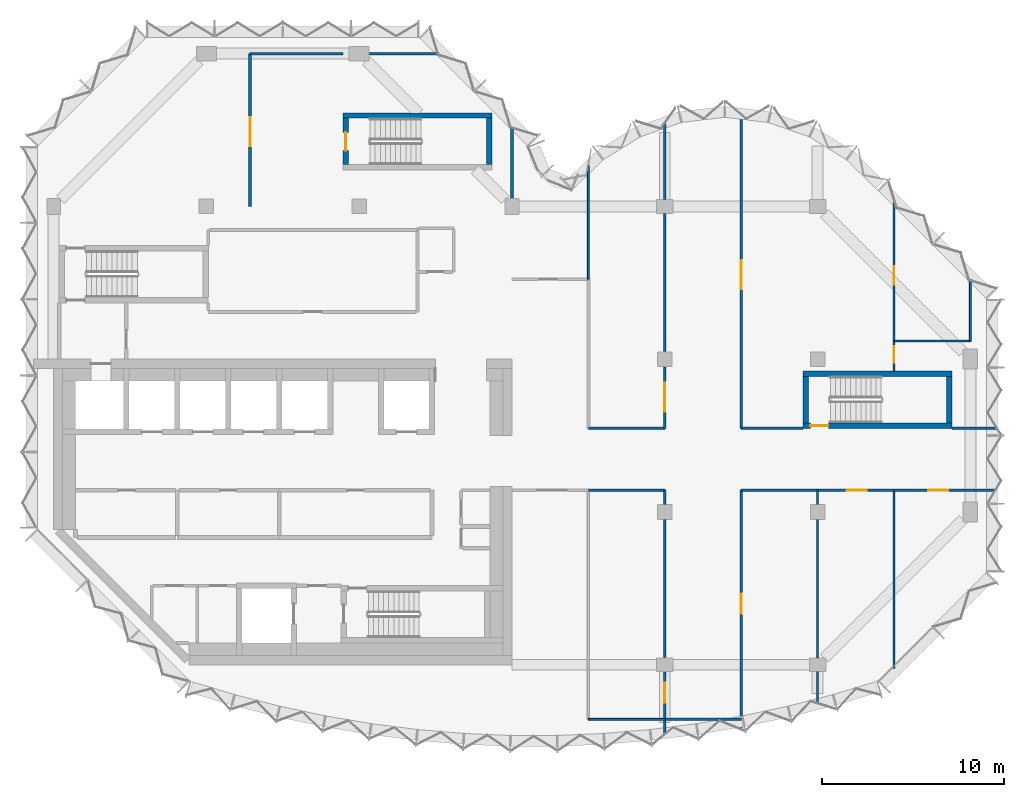
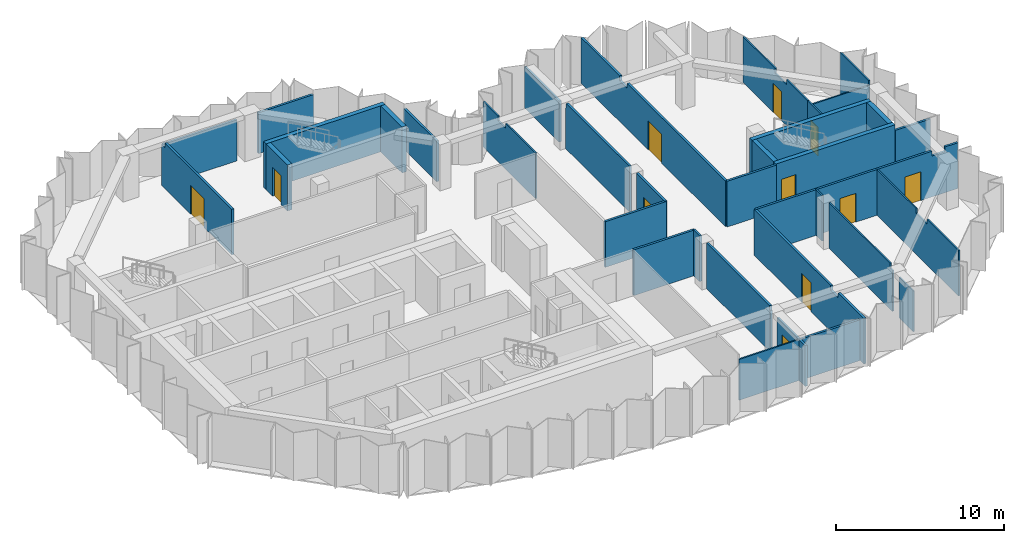
# One storey, part 6 of 9: 37 walls, 11 doors, 11 openings.
"""IFC4 building model written with IfcOpenShell, lengths in metres."""

from ifc_helpers import new_model, si_unit, direction, frame, frame_2d, origin, place, context, subcontext, project, spatial, polyline, rectangle, outline, extrude, material, layer, layer_set, type_object, element, fill, save


model = new_model("IFC4")

# Units and contexts
model_context = context("Model", 3, precision=1e-05, world=origin(), true_north=direction((0.0, 1.0)))
body_context = subcontext(model_context, "Body", "Model", "MODEL_VIEW")
ifc_project = project(units=[si_unit("LENGTHUNIT", "METRE"), si_unit("AREAUNIT", "SQUARE_METRE"), si_unit("VOLUMEUNIT", "CUBIC_METRE"), si_unit("PLANEANGLEUNIT", "RADIAN"), si_unit("MASSUNIT", "GRAM", prefix="KILO")], contexts=[model_context])

# Site, building, storey
site_placement = place(None, origin())
site = spatial("IfcSite", under=ifc_project, at=site_placement, CompositionType="ELEMENT")
building_placement = place(site_placement, origin())
building = spatial("IfcBuilding", under=site, at=building_placement, Name="Brevane Broadcast Tower", CompositionType="ELEMENT")
storey_placement = place(building_placement, frame((0.0, 0.0, 215.699951171875)))
storey = spatial("IfcBuildingStorey", under=building, at=storey_placement, Name="L54", CompositionType="ELEMENT", Elevation=215.699951171875)

# Wall
ifc_material_1 = material(Name="Concrete C50/60", Category="concrete")
ifc_layer_1 = layer(ifc_material_1, 0.300048828125)
ifc_layer_set_1 = layer_set([ifc_layer_1], Name="Core wall 300 mm C50/60")
wall_type_1 = type_object("IfcWallType", Name="Core wall 300 mm C50/60", PredefinedType="SHEAR", material=ifc_layer_set_1)
wall_1_placement = place(storey_placement, frame((15.89990234375, 30.199951171875, 0.0), z_axis=(0.0, 0.0, 1.0), x_axis=(1.0, 0.0, 0.0)))
element("IfcWall", 1, at=wall_1_placement, inside=storey, type_object=wall_type_1, Name="L54 stair wall ST-3-N", PredefinedType="SHEAR", context=body_context, shape_type="SweptSolid", body=[
    extrude(rectangle(XDim=8.2001953125, YDim=0.300048828125, at=frame_2d((4.10009765625, 0.0))), origin(), (0.0, 0.0, 1.0), 3.35009765625),
])

# Wall, opening, door
wall_2_placement = place(storey_placement, frame((16.050048828125, 27.5, 0.0), z_axis=(0.0, 0.0, 1.0), x_axis=(0.0, 1.0, 0.0)))
wall_2 = element("IfcWall", 2, at=wall_2_placement, inside=storey, type_object=wall_type_1, Name="L54 stair wall ST-3-W", PredefinedType="SHEAR", context=body_context, shape_type="SweptSolid", body=[
    extrude(rectangle(XDim=2.550048828125, YDim=0.300048828125, at=frame_2d((1.27490234375, 0.0))), origin(), (0.0, 0.0, 1.0), 3.35009765625),
])
opening_1_placement = place(wall_2_placement, frame((0.77490234375, 0.0, 0.0)))
opening_1 = element("IfcOpeningElement", 3, at=opening_1_placement, cuts=wall_2, Name="Opening L54-K12", PredefinedType="OPENING", context=body_context, shape_type="SweptSolid", body=[
    extrude(rectangle(XDim=1.0, YDim=2.10009765625, at=frame_2d((0.5, 1.050048828125))), frame((0.0, 0.159912109375, 0.0), z_axis=(0.0, -1.0, 0.0), x_axis=(1.0, 0.0, 0.0)), (0.0, 0.0, 1.0), 0.320068359375),
])
ifc_material_2 = material(Name="Steel", Category="steel")
door_type_1 = type_object("IfcDoorType", Name="Stair door 1000 x 2100", OperationType="SINGLE_SWING_LEFT", PredefinedType="DOOR", material=ifc_material_2)
door_1_placement = place(opening_1_placement, origin())
door_1 = element("IfcDoor", 4, at=door_1_placement, inside=storey, type_object=door_type_1, Name="Door L54-K12", OperationType="SINGLE_SWING_LEFT", OverallHeight=2.10009765625, OverallWidth=1.0, PredefinedType="DOOR", context=body_context, shape_type="SweptSolid", body=[
    extrude(rectangle(XDim=1.0, YDim=2.10009765625, at=frame_2d((0.5, 1.050048828125))), frame((0.0, 0.02490234375, 0.0), z_axis=(0.0, -1.0, 0.0), x_axis=(1.0, 0.0, 0.0)), (0.0, 0.0, 1.0), 0.050048828125),
])
fill(opening_1, door_1)

# Wall
wall_3_placement = place(storey_placement, frame((23.949951171875, 27.5, 0.0), z_axis=(0.0, 0.0, 1.0), x_axis=(0.0, 1.0, 0.0)))
element("IfcWall", 5, at=wall_3_placement, inside=storey, type_object=wall_type_1, Name="L54 stair wall ST-3-E", PredefinedType="SHEAR", context=body_context, shape_type="SweptSolid", body=[
    extrude(rectangle(XDim=2.550048828125, YDim=0.300048828125, at=frame_2d((1.27490234375, 0.0))), origin(), (0.0, 0.0, 1.0), 3.35009765625),
])

# Wall, opening, door
wall_4_placement = place(storey_placement, frame((49.39990234375, 13.14990234375, 0.0), z_axis=(0.0, 0.0, 1.0), x_axis=(-1.0, 0.0, 0.0)))
wall_4 = element("IfcWall", 6, at=wall_4_placement, inside=storey, type_object=wall_type_1, Name="L54 stair wall ST-4-S", PredefinedType="SHEAR", context=body_context, shape_type="SweptSolid", body=[
    extrude(rectangle(XDim=8.199951171875, YDim=0.300048828125, at=frame_2d((4.10009765625, 0.0))), origin(), (0.0, 0.0, 1.0), 3.35009765625),
])
opening_2_placement = place(wall_4_placement, frame((6.800048828125, 0.0, 0.0)))
opening_2 = element("IfcOpeningElement", 7, at=opening_2_placement, cuts=wall_4, Name="Opening L54-K13", PredefinedType="OPENING", context=body_context, shape_type="SweptSolid", body=[
    extrude(rectangle(XDim=1.0, YDim=2.10009765625, at=frame_2d((0.5, 1.050048828125))), frame((0.0, 0.159912109375, 0.0), z_axis=(0.0, -1.0, 0.0), x_axis=(1.0, 0.0, 0.0)), (0.0, 0.0, 1.0), 0.320068359375),
])
door_2_placement = place(opening_2_placement, origin())
door_2 = element("IfcDoor", 8, at=door_2_placement, inside=storey, type_object=door_type_1, Name="Door L54-K13", OperationType="SINGLE_SWING_RIGHT", OverallHeight=2.10009765625, OverallWidth=1.0, PredefinedType="DOOR", context=body_context, shape_type="SweptSolid", body=[
    extrude(rectangle(XDim=1.0, YDim=2.10009765625, at=frame_2d((0.5, 1.050048828125))), frame((0.0, 0.02490234375, 0.0), z_axis=(0.0, -1.0, 0.0), x_axis=(1.0, 0.0, 0.0)), (0.0, 0.0, 1.0), 0.050048828125),
])
fill(opening_2, door_2)

# Walls
wall_5_placement = place(storey_placement, frame((41.199951171875, 16.0, 0.0), z_axis=(0.0, 0.0, 1.0), x_axis=(1.0, 0.0, 0.0)))
element("IfcWall", 9, at=wall_5_placement, inside=storey, type_object=wall_type_1, Name="L54 stair wall ST-4-N", PredefinedType="SHEAR", context=body_context, shape_type="SweptSolid", body=[
    extrude(rectangle(XDim=8.199951171875, YDim=0.300048828125, at=frame_2d((4.10009765625, 0.0))), origin(), (0.0, 0.0, 1.0), 3.35009765625),
])
for number, where, z_axis, x_axis, name in (
    (10, (41.35009765625, 13.300048828125, 0.0), (0.0, 0.0, 1.0), (0.0, 1.0, 0.0), "L54 stair wall ST-4-W"),
    (11, (49.25, 13.300048828125, 0.0), (0.0, 0.0, 1.0), (0.0, 1.0, 0.0), "L54 stair wall ST-4-E"),
):
    element("IfcWall", number, at=place(storey_placement, frame(where, z_axis=z_axis, x_axis=x_axis)), inside=storey, type_object=wall_type_1, Name=name, PredefinedType="SHEAR", context=body_context, shape_type="SweptSolid", body=[
        extrude(rectangle(XDim=2.550048828125, YDim=0.300048828125, at=frame_2d((1.27490234375, 0.0))), origin(), (0.0, 0.0, 1.0), 3.35009765625),
    ])
ifc_material_3 = material(Name="Gypsum board partition")
ifc_layer_2 = layer(ifc_material_3, 0.10009765625)
ifc_layer_set_2 = layer_set([ifc_layer_2], Name="PARTITION 100 STUD")
wall_type_2 = type_object("IfcWallType", Name="PARTITION 100 STUD", PredefinedType="PARTITIONING", material=ifc_layer_set_2)
wall_6_placement = place(storey_placement, frame((29.39990234375, 27.428955078125, 0.0), z_axis=(0.0, 0.0, 1.0), x_axis=(0.0, -1.0, 0.0)))
element("IfcWall", 12, at=wall_6_placement, inside=storey, type_object=wall_type_2, Name="Partition G16-004", PredefinedType="PARTITIONING", context=body_context, shape_type="SweptSolid", body=[
    extrude(outline(polyline([(0.0, 0.0), (6.22900390625, 0.0), (6.22900390625, 3.330078125), (2.678955078125, 3.330078125), (2.677001953125, 2.97998046875), (1.781005859375, 2.97998046875), (1.779052734375, 3.330078125), (0.154052734375, 3.330078125), (0.0, 3.330078125), (0.0, 0.0)])), frame((0.0, 0.050048828125, 0.0), z_axis=(0.0, -1.0, 0.0), x_axis=(1.0, 0.0, 0.0)), (0.0, 0.0, 1.0), 0.10009765625),
])
wall_7_placement = place(storey_placement, frame((29.39990234375, -3.0, 0.0), z_axis=(0.0, 0.0, 1.0), x_axis=(1.0, 0.0, 0.0)))
element("IfcWall", 13, at=wall_7_placement, inside=storey, type_object=wall_type_2, Name="Partition G16-019", PredefinedType="PARTITIONING", context=body_context, shape_type="SweptSolid", body=[
    extrude(rectangle(XDim=4.2001953125, YDim=0.10009765625, at=frame_2d((2.10009765625, 0.0))), origin(), (0.0, 0.0, 1.0), 2.97998046875),
])
wall_8_placement = place(storey_placement, frame((42.0, 9.60009765625, 0.0), z_axis=(0.0, 0.0, 1.0), x_axis=(0.0, -1.0, 0.0)))
element("IfcWall", 14, at=wall_8_placement, inside=storey, type_object=wall_type_2, Name="Partition G16-020", PredefinedType="PARTITIONING", context=body_context, shape_type="SweptSolid", body=[
    extrude(rectangle(XDim=0.780029296875, YDim=0.10009765625, at=frame_2d((0.39013671875, 0.0))), origin(), (0.0, 0.0, 1.0), 3.330078125),
])
wall_9_placement = place(storey_placement, frame((42.0, 7.97998046875, 0.0), z_axis=(0.0, 0.0, 1.0), x_axis=(0.0, -1.0, 0.0)))
element("IfcWall", 15, at=wall_9_placement, inside=storey, type_object=wall_type_2, Name="Partition G16-021", PredefinedType="PARTITIONING", context=body_context, shape_type="SweptSolid", body=[
    extrude(outline(polyline([(0.0, 0.0), (7.5849609375, 0.0), (7.5849609375, 2.97998046875), (7.31640625, 2.97998046875), (7.314208984375, 3.330078125), (0.0, 3.330078125), (0.0, 0.0)])), frame((0.0, 0.050048828125, 0.0), z_axis=(0.0, -1.0, 0.0), x_axis=(1.0, 0.0, 0.0)), (0.0, 0.0, 1.0), 0.10009765625),
])
wall_10_placement = place(storey_placement, frame((42.0, -0.39501953125, 0.0), z_axis=(0.0, 0.0, 1.0), x_axis=(0.0, -1.0, 0.0)))
element("IfcWall", 16, at=wall_10_placement, inside=storey, type_object=wall_type_2, Name="Partition G16-022", PredefinedType="PARTITIONING", context=body_context, shape_type="SweptSolid", body=[
    extrude(rectangle(XDim=1.673828125, YDim=0.10009765625, at=frame_2d((0.8369140625, 0.0))), origin(), (0.0, 0.0, 1.0), 2.97998046875),
])
wall_11_placement = place(storey_placement, frame((46.199951171875, 9.60009765625, 0.0), z_axis=(0.0, 0.0, 1.0), x_axis=(0.0, -1.0, 0.0)))
element("IfcWall", 17, at=wall_11_placement, inside=storey, type_object=wall_type_2, Name="Partition G16-023", PredefinedType="PARTITIONING", context=body_context, shape_type="SweptSolid", body=[
    extrude(outline(polyline([(0.0, 0.0), (9.800048828125, 0.0), (9.800048828125, 3.330078125), (6.065673828125, 3.330078125), (6.063720703125, 2.97998046875), (4.736328125, 2.97998046875), (4.734375, 3.330078125), (0.0, 3.330078125), (0.0, 0.0)])), frame((0.0, 0.050048828125, 0.0), z_axis=(0.0, -1.0, 0.0), x_axis=(1.0, 0.0, 0.0)), (0.0, 0.0, 1.0), 0.10009765625),
])

# Wall, opening, door
wall_12_placement = place(storey_placement, frame((46.199951171875, 17.800048828125, 0.0), z_axis=(0.0, 0.0, 1.0), x_axis=(0.0, -1.0, 0.0)))
wall_12 = element("IfcWall", 18, at=wall_12_placement, inside=storey, type_object=wall_type_2, Name="Partition G16-028", PredefinedType="PARTITIONING", context=body_context, shape_type="SweptSolid", body=[
    extrude(rectangle(XDim=1.650146484375, YDim=0.10009765625, at=frame_2d((0.8251953125, 0.0))), origin(), (0.0, 0.0, 1.0), 3.330078125),
])
opening_3_placement = place(wall_12_placement, frame((0.300048828125, 0.0, 0.0)))
opening_3 = element("IfcOpeningElement", 19, at=opening_3_placement, cuts=wall_12, Name="Opening D27-009", PredefinedType="OPENING", context=body_context, shape_type="SweptSolid", body=[
    extrude(rectangle(XDim=0.89990234375, YDim=2.10009765625, at=frame_2d((0.449951171875, 1.050048828125))), frame((0.0, 0.06005859375, 0.0), z_axis=(0.0, -1.0, 0.0), x_axis=(1.0, 0.0, 0.0)), (0.0, 0.0, 1.0), 0.1201171875),
])
ifc_material_4 = material(Name="Timber door leaf", Category="wood")
door_type_2 = type_object("IfcDoorType", Name="DOOR SINGLE 900 INTERNAL", OperationType="SINGLE_SWING_LEFT", PredefinedType="DOOR", material=ifc_material_4)
door_3_placement = place(opening_3_placement, origin())
door_3 = element("IfcDoor", 20, at=door_3_placement, inside=storey, type_object=door_type_2, Name="Door D27-009", OperationType="SINGLE_SWING_LEFT", OverallHeight=2.10009765625, OverallWidth=0.89990234375, PredefinedType="DOOR", context=body_context, shape_type="SweptSolid", body=[
    extrude(rectangle(XDim=0.89990234375, YDim=2.10009765625, at=frame_2d((0.449951171875, 1.050048828125))), frame((0.0, 0.02490234375, 0.0), z_axis=(0.0, -1.0, 0.0), x_axis=(1.0, 0.0, 0.0)), (0.0, 0.0, 1.0), 0.050048828125),
])
fill(opening_3, door_3)

wall_13_placement = place(storey_placement, frame((46.199951171875, 25.50244140625, 0.0), z_axis=(0.0, 0.0, 1.0), x_axis=(0.0, -1.0, 0.0)))
wall_13 = element("IfcWall", 21, at=wall_13_placement, inside=storey, type_object=wall_type_2, Name="Partition G16-029", PredefinedType="PARTITIONING", context=body_context, shape_type="SweptSolid", body=[
    extrude(outline(polyline([(0.0, 0.0), (7.702392578125, 0.0), (7.702392578125, 3.330078125), (5.168212890625, 3.330078125), (5.166259765625, 2.97998046875), (3.8388671875, 2.97998046875), (3.8369140625, 3.330078125), (0.1025390625, 3.330078125), (0.0, 3.330078125), (0.0, 0.0)])), frame((0.0, 0.050048828125, 0.0), z_axis=(0.0, -1.0, 0.0), x_axis=(1.0, 0.0, 0.0)), (0.0, 0.0, 1.0), 0.10009765625),
])
opening_4_placement = place(wall_13_placement, frame((3.6025390625, 0.0, 0.0)))
opening_4 = element("IfcOpeningElement", 22, at=opening_4_placement, cuts=wall_13, Name="Opening D27-010", PredefinedType="OPENING", context=body_context, shape_type="SweptSolid", body=[
    extrude(rectangle(XDim=1.0, YDim=2.10009765625, at=frame_2d((0.5, 1.050048828125))), frame((0.0, 0.06005859375, 0.0), z_axis=(0.0, -1.0, 0.0), x_axis=(1.0, 0.0, 0.0)), (0.0, 0.0, 1.0), 0.1201171875),
])
door_type_3 = type_object("IfcDoorType", Name="DOOR SINGLE 1000 INTERNAL", OperationType="SINGLE_SWING_LEFT", PredefinedType="DOOR", material=ifc_material_4)
door_4_placement = place(opening_4_placement, origin())
door_4 = element("IfcDoor", 23, at=door_4_placement, inside=storey, type_object=door_type_3, Name="Door D27-010", OperationType="SINGLE_SWING_LEFT", OverallHeight=2.10009765625, OverallWidth=1.0, PredefinedType="DOOR", context=body_context, shape_type="SweptSolid", body=[
    extrude(rectangle(XDim=1.0, YDim=2.10009765625, at=frame_2d((0.5, 1.050048828125))), frame((0.0, 0.02490234375, 0.0), z_axis=(0.0, -1.0, 0.0), x_axis=(1.0, 0.0, 0.0)), (0.0, 0.0, 1.0), 0.050048828125),
])
fill(opening_4, door_4)

# Walls
wall_14_placement = place(storey_placement, frame((46.199951171875, 17.800048828125, 0.0), z_axis=(0.0, 0.0, 1.0), x_axis=(1.0, 0.0, 0.0)))
element("IfcWall", 24, at=wall_14_placement, inside=storey, type_object=wall_type_2, Name="Partition G16-030", PredefinedType="PARTITIONING", context=body_context, shape_type="SweptSolid", body=[
    extrude(rectangle(XDim=4.199951171875, YDim=0.10009765625, at=frame_2d((2.10009765625, 0.0))), origin(), (0.0, 0.0, 1.0), 2.97998046875),
])
wall_15_placement = place(storey_placement, frame((50.39990234375, 17.800048828125, 0.0), z_axis=(0.0, 0.0, 1.0), x_axis=(0.0, 1.0, 0.0)))
element("IfcWall", 25, at=wall_15_placement, inside=storey, type_object=wall_type_2, Name="Partition G16-031", PredefinedType="PARTITIONING", context=body_context, shape_type="SweptSolid", body=[
    extrude(rectangle(XDim=3.39990234375, YDim=0.10009765625, at=frame_2d((1.699951171875, 0.0))), origin(), (0.0, 0.0, 1.0), 3.330078125),
])
ifc_layer_3 = layer(ifc_material_3, 0.14990234375)
ifc_layer_set_3 = layer_set([ifc_layer_3], Name="PARTITION 150 EI 60")
wall_type_3 = type_object("IfcWallType", Name="PARTITION 150 EI 60", PredefinedType="PARTITIONING", material=ifc_layer_set_3)
wall_16_placement = place(storey_placement, frame((25.199951171875, 25.669921875, 0.0), z_axis=(0.0, 0.0, 1.0), x_axis=(0.0, 1.0, 0.0)))
element("IfcWall", 26, at=wall_16_placement, inside=storey, type_object=wall_type_3, Name="Partition G16-005", PredefinedType="PARTITIONING", context=body_context, shape_type="SweptSolid", body=[
    extrude(rectangle(XDim=3.93017578125, YDim=0.14990234375, at=frame_2d((1.965087890625, 0.0))), origin(), (0.0, 0.0, 1.0), 2.97998046875),
])
wall_17_placement = place(storey_placement, frame((33.60009765625, 9.60009765625, 0.0), z_axis=(0.0, 0.0, 1.0), x_axis=(-1.0, 0.0, 0.0)))
element("IfcWall", 27, at=wall_17_placement, inside=storey, type_object=wall_type_3, Name="Partition G16-006", PredefinedType="PARTITIONING", context=body_context, shape_type="SweptSolid", body=[
    extrude(rectangle(XDim=4.2001953125, YDim=0.14990234375, at=frame_2d((2.10009765625, 0.0))), origin(), (0.0, 0.0, 1.0), 3.330078125),
])
wall_18_placement = place(storey_placement, frame((42.0, 9.60009765625, 0.0), z_axis=(0.0, 0.0, 1.0), x_axis=(-1.0, 0.0, 0.0)))
element("IfcWall", 28, at=wall_18_placement, inside=storey, type_object=wall_type_3, Name="Partition G16-007", PredefinedType="PARTITIONING", context=body_context, shape_type="SweptSolid", body=[
    extrude(rectangle(XDim=4.199951171875, YDim=0.14990234375, at=frame_2d((2.10009765625, 0.0))), origin(), (0.0, 0.0, 1.0), 3.330078125),
])

# Wall, opening, door
wall_19_placement = place(storey_placement, frame((46.199951171875, 9.60009765625, 0.0), z_axis=(0.0, 0.0, 1.0), x_axis=(-1.0, 0.0, 0.0)))
wall_19 = element("IfcWall", 29, at=wall_19_placement, inside=storey, type_object=wall_type_3, Name="Partition G16-008", PredefinedType="PARTITIONING", context=body_context, shape_type="SweptSolid", body=[
    extrude(rectangle(XDim=4.199951171875, YDim=0.14990234375, at=frame_2d((2.10009765625, 0.0))), origin(), (0.0, 0.0, 1.0), 3.330078125),
])
opening_5_placement = place(wall_19_placement, frame((1.5, 0.0, 0.0)))
opening_5 = element("IfcOpeningElement", 30, at=opening_5_placement, cuts=wall_19, Name="Opening D27-005", PredefinedType="OPENING", context=body_context, shape_type="SweptSolid", body=[
    extrude(rectangle(XDim=1.10009765625, YDim=2.10009765625, at=frame_2d((0.550048828125, 1.050048828125))), frame((0.0, 0.0849609375, 0.0), z_axis=(0.0, -1.0, 0.0), x_axis=(1.0, 0.0, 0.0)), (0.0, 0.0, 1.0), 0.169921875),
])
ifc_material_5 = material(Name="Fire-rated timber door leaf", Category="wood")
door_type_4 = type_object("IfcDoorType", Name="DOOR SINGLE 1100 FD30S", OperationType="SINGLE_SWING_LEFT", PredefinedType="DOOR", material=ifc_material_5)
door_5_placement = place(opening_5_placement, origin())
door_5 = element("IfcDoor", 31, at=door_5_placement, inside=storey, type_object=door_type_4, Name="Door D27-005", OperationType="SINGLE_SWING_LEFT", OverallHeight=2.10009765625, OverallWidth=1.10009765625, PredefinedType="DOOR", context=body_context, shape_type="SweptSolid", body=[
    extrude(rectangle(XDim=1.10009765625, YDim=2.10009765625, at=frame_2d((0.550048828125, 1.050048828125))), frame((0.0, 0.02490234375, 0.0), z_axis=(0.0, -1.0, 0.0), x_axis=(1.0, 0.0, 0.0)), (0.0, 0.0, 1.0), 0.050048828125),
])
fill(opening_5, door_5)

wall_20_placement = place(storey_placement, frame((51.73046875, 9.60009765625, 0.0), z_axis=(0.0, 0.0, 1.0), x_axis=(-1.0, 0.0, 0.0)))
wall_20 = element("IfcWall", 32, at=wall_20_placement, inside=storey, type_object=wall_type_3, Name="Partition G16-009", PredefinedType="PARTITIONING", context=body_context, shape_type="SweptSolid", body=[
    extrude(outline(polyline([(0.0, 0.0), (5.530517578125, 0.0), (5.530517578125, 3.330078125), (1.780517578125, 3.330078125), (1.778564453125, 2.97998046875), (0.882568359375, 2.97998046875), (0.880615234375, 3.330078125), (0.25048828125, 3.330078125), (0.0, 3.330078125), (0.0, 0.0)])), frame((0.0, 0.074951171875, 0.0), z_axis=(0.0, -1.0, 0.0), x_axis=(1.0, 0.0, 0.0)), (0.0, 0.0, 1.0), 0.14990234375),
])
opening_6_placement = place(wall_20_placement, frame((2.550537109375, 0.0, 0.0)))
opening_6 = element("IfcOpeningElement", 33, at=opening_6_placement, cuts=wall_20, Name="Opening D27-006", PredefinedType="OPENING", context=body_context, shape_type="SweptSolid", body=[
    extrude(rectangle(XDim=1.10009765625, YDim=2.10009765625, at=frame_2d((0.550048828125, 1.050048828125))), frame((0.0, 0.0849609375, 0.0), z_axis=(0.0, -1.0, 0.0), x_axis=(1.0, 0.0, 0.0)), (0.0, 0.0, 1.0), 0.169921875),
])
door_6_placement = place(opening_6_placement, origin())
door_6 = element("IfcDoor", 34, at=door_6_placement, inside=storey, type_object=door_type_4, Name="Door D27-006", OperationType="SINGLE_SWING_LEFT", OverallHeight=2.10009765625, OverallWidth=1.10009765625, PredefinedType="DOOR", context=body_context, shape_type="SweptSolid", body=[
    extrude(rectangle(XDim=1.10009765625, YDim=2.10009765625, at=frame_2d((0.550048828125, 1.050048828125))), frame((0.0, 0.02490234375, 0.0), z_axis=(0.0, -1.0, 0.0), x_axis=(1.0, 0.0, 0.0)), (0.0, 0.0, 1.0), 0.050048828125),
])
fill(opening_6, door_6)

# Walls
wall_21_placement = place(storey_placement, frame((29.39990234375, 13.0, 0.0), z_axis=(0.0, 0.0, 1.0), x_axis=(1.0, 0.0, 0.0)))
element("IfcWall", 35, at=wall_21_placement, inside=storey, type_object=wall_type_3, Name="Partition G16-010", PredefinedType="PARTITIONING", context=body_context, shape_type="SweptSolid", body=[
    extrude(rectangle(XDim=4.2001953125, YDim=0.14990234375, at=frame_2d((2.10009765625, 0.0))), origin(), (0.0, 0.0, 1.0), 3.330078125),
])
wall_22_placement = place(storey_placement, frame((37.800048828125, 13.0, 0.0), z_axis=(0.0, 0.0, 1.0), x_axis=(1.0, 0.0, 0.0)))
element("IfcWall", 36, at=wall_22_placement, inside=storey, type_object=wall_type_3, Name="Partition G16-011", PredefinedType="PARTITIONING", context=body_context, shape_type="SweptSolid", body=[
    extrude(rectangle(XDim=3.39990234375, YDim=0.14990234375, at=frame_2d((1.699951171875, 0.0))), origin(), (0.0, 0.0, 1.0), 3.330078125),
])
wall_23_placement = place(storey_placement, frame((49.39990234375, 13.0, 0.0), z_axis=(0.0, 0.0, 1.0), x_axis=(1.0, 0.0, 0.0)))
element("IfcWall", 37, at=wall_23_placement, inside=storey, type_object=wall_type_3, Name="Partition G16-012", PredefinedType="PARTITIONING", context=body_context, shape_type="SweptSolid", body=[
    extrude(rectangle(XDim=2.419677734375, YDim=0.14990234375, at=frame_2d((1.2099609375, 0.0))), origin(), (0.0, 0.0, 1.0), 2.97998046875),
])
wall_24_placement = place(storey_placement, frame((37.830810546875, -3.0, 0.0), z_axis=(0.0, 0.0, 1.0), x_axis=(-1.0, 0.0, 0.0)))
element("IfcWall", 38, at=wall_24_placement, inside=storey, type_object=wall_type_3, Name="Partition G16-013", PredefinedType="PARTITIONING", context=body_context, shape_type="SweptSolid", body=[
    extrude(rectangle(XDim=4.230712890625, YDim=0.14990234375, at=frame_2d((2.115234375, 0.0))), origin(), (0.0, 0.0, 1.0), 2.97998046875),
])

# Wall, opening, door
wall_25_placement = place(storey_placement, frame((33.60009765625, -3.772216796875, 0.0), z_axis=(0.0, 0.0, 1.0), x_axis=(0.0, 1.0, 0.0)))
wall_25 = element("IfcWall", 39, at=wall_25_placement, inside=storey, type_object=wall_type_3, Name="Partition G16-014", PredefinedType="PARTITIONING", context=body_context, shape_type="SweptSolid", body=[
    extrude(rectangle(XDim=3.377197265625, YDim=0.14990234375, at=frame_2d((1.6884765625, 0.0))), origin(), (0.0, 0.0, 1.0), 2.97998046875),
])
opening_7_placement = place(wall_25_placement, frame((1.672119140625, 0.0, 0.0)))
opening_7 = element("IfcOpeningElement", 40, at=opening_7_placement, cuts=wall_25, Name="Opening D27-003", PredefinedType="OPENING", context=body_context, shape_type="SweptSolid", body=[
    extrude(rectangle(XDim=1.10009765625, YDim=2.10009765625, at=frame_2d((0.550048828125, 1.050048828125))), frame((0.0, 0.0849609375, 0.0), z_axis=(0.0, -1.0, 0.0), x_axis=(1.0, 0.0, 0.0)), (0.0, 0.0, 1.0), 0.169921875),
])
door_7_placement = place(opening_7_placement, origin())
door_7 = element("IfcDoor", 41, at=door_7_placement, inside=storey, type_object=door_type_4, Name="Door D27-003", OperationType="SINGLE_SWING_LEFT", OverallHeight=2.10009765625, OverallWidth=1.10009765625, PredefinedType="DOOR", context=body_context, shape_type="SweptSolid", body=[
    extrude(rectangle(XDim=1.10009765625, YDim=2.10009765625, at=frame_2d((0.550048828125, 1.050048828125))), frame((0.0, 0.02490234375, 0.0), z_axis=(0.0, -1.0, 0.0), x_axis=(1.0, 0.0, 0.0)), (0.0, 0.0, 1.0), 0.050048828125),
])
fill(opening_7, door_7)

# Walls
wall_26_placement = place(storey_placement, frame((33.60009765625, 0.39501953125, 0.0), z_axis=(0.0, 0.0, 1.0), x_axis=(0.0, 1.0, 0.0)))
element("IfcWall", 42, at=wall_26_placement, inside=storey, type_object=wall_type_3, Name="Partition G16-015", PredefinedType="PARTITIONING", context=body_context, shape_type="SweptSolid", body=[
    extrude(outline(polyline([(0.0, 0.0), (7.5849609375, 0.0), (7.5849609375, 3.330078125), (0.054931640625, 3.330078125), (0.052978515625, 2.97998046875), (0.0, 2.97998046875), (0.0, 0.0)])), frame((0.0, 0.074951171875, 0.0), z_axis=(0.0, -1.0, 0.0), x_axis=(1.0, 0.0, 0.0)), (0.0, 0.0, 1.0), 0.14990234375),
])
wall_27_placement = place(storey_placement, frame((33.60009765625, 8.820068359375, 0.0), z_axis=(0.0, 0.0, 1.0), x_axis=(0.0, 1.0, 0.0)))
element("IfcWall", 43, at=wall_27_placement, inside=storey, type_object=wall_type_3, Name="Partition G16-016", PredefinedType="PARTITIONING", context=body_context, shape_type="SweptSolid", body=[
    extrude(rectangle(XDim=0.780029296875, YDim=0.14990234375, at=frame_2d((0.39013671875, 0.0))), origin(), (0.0, 0.0, 1.0), 3.330078125),
])

# Wall, opening, door
wall_28_placement = place(storey_placement, frame((37.800048828125, 9.60009765625, 0.0), z_axis=(0.0, 0.0, 1.0), x_axis=(0.0, -1.0, 0.0)))
wall_28 = element("IfcWall", 44, at=wall_28_placement, inside=storey, type_object=wall_type_3, Name="Partition G16-017", PredefinedType="PARTITIONING", context=body_context, shape_type="SweptSolid", body=[
    extrude(outline(polyline([(0.0, 0.0), (13.105712890625, 0.0), (13.10546875, 3.330078125), (12.622314453125, 3.330078125), (10.050048828125, 3.330078125), (10.048095703125, 2.97998046875), (9.152099609375, 2.97998046875), (9.14990234375, 3.330078125), (0.0, 3.330078125), (0.0, 0.0)])), frame((0.0, 0.074951171875, 0.0), z_axis=(0.0, -1.0, 0.0), x_axis=(1.0, 0.0, 0.0)), (0.0, 0.0, 1.0), 0.14990234375),
])
opening_8_placement = place(wall_28_placement, frame((5.699951171875, 0.0, 0.0)))
opening_8 = element("IfcOpeningElement", 45, at=opening_8_placement, cuts=wall_28, Name="Opening D27-004", PredefinedType="OPENING", context=body_context, shape_type="SweptSolid", body=[
    extrude(rectangle(XDim=1.10009765625, YDim=2.10009765625, at=frame_2d((0.550048828125, 1.050048828125))), frame((0.0, 0.0849609375, 0.0), z_axis=(0.0, -1.0, 0.0), x_axis=(1.0, 0.0, 0.0)), (0.0, 0.0, 1.0), 0.169921875),
])
door_8_placement = place(opening_8_placement, origin())
door_8 = element("IfcDoor", 46, at=door_8_placement, inside=storey, type_object=door_type_4, Name="Door D27-004", OperationType="SINGLE_SWING_LEFT", OverallHeight=2.10009765625, OverallWidth=1.10009765625, PredefinedType="DOOR", context=body_context, shape_type="SweptSolid", body=[
    extrude(rectangle(XDim=1.10009765625, YDim=2.10009765625, at=frame_2d((0.550048828125, 1.050048828125))), frame((0.0, 0.02490234375, 0.0), z_axis=(0.0, -1.0, 0.0), x_axis=(1.0, 0.0, 0.0)), (0.0, 0.0, 1.0), 0.050048828125),
])
fill(opening_8, door_8)

wall_29_placement = place(storey_placement, frame((33.60009765625, 13.0, 0.0), z_axis=(0.0, 0.0, 1.0), x_axis=(0.0, 1.0, 0.0)))
wall_29 = element("IfcWall", 47, at=wall_29_placement, inside=storey, type_object=wall_type_3, Name="Partition G16-024", PredefinedType="PARTITIONING", context=body_context, shape_type="SweptSolid", body=[
    extrude(rectangle(XDim=3.3798828125, YDim=0.14990234375, at=frame_2d((1.68994140625, 0.0))), origin(), (0.0, 0.0, 1.0), 3.330078125),
])
opening_9_placement = place(wall_29_placement, frame((0.89990234375, 0.0, 0.0)))
opening_9 = element("IfcOpeningElement", 48, at=opening_9_placement, cuts=wall_29, Name="Opening D27-007", PredefinedType="OPENING", context=body_context, shape_type="SweptSolid", body=[
    extrude(rectangle(XDim=1.60009765625, YDim=2.10009765625, at=frame_2d((0.800048828125, 1.050048828125))), frame((0.0, 0.0849609375, 0.0), z_axis=(0.0, -1.0, 0.0), x_axis=(1.0, 0.0, 0.0)), (0.0, 0.0, 1.0), 0.169921875),
])
door_type_5 = type_object("IfcDoorType", Name="DOOR DOUBLE 1600 FD30S", OperationType="DOUBLE_DOOR_SINGLE_SWING", PredefinedType="DOOR", material=ifc_material_5)
door_9_placement = place(opening_9_placement, origin())
door_9 = element("IfcDoor", 49, at=door_9_placement, inside=storey, type_object=door_type_5, Name="Door D27-007", OperationType="DOUBLE_DOOR_SINGLE_SWING", OverallHeight=2.10009765625, OverallWidth=1.60009765625, PredefinedType="DOOR", context=body_context, shape_type="SweptSolid", body=[
    extrude(rectangle(XDim=1.60009765625, YDim=2.10009765625, at=frame_2d((0.800048828125, 1.050048828125))), frame((0.0, 0.02490234375, 0.0), z_axis=(0.0, -1.0, 0.0), x_axis=(1.0, 0.0, 0.0)), (0.0, 0.0, 1.0), 0.050048828125),
])
fill(opening_9, door_9)

# Walls
wall_30_placement = place(storey_placement, frame((33.60009765625, 17.219970703125, 0.0), z_axis=(0.0, 0.0, 1.0), x_axis=(0.0, 1.0, 0.0)))
element("IfcWall", 50, at=wall_30_placement, inside=storey, type_object=wall_type_3, Name="Partition G16-025", PredefinedType="PARTITIONING", context=body_context, shape_type="SweptSolid", body=[
    extrude(outline(polyline([(0.0, 0.0), (7.5849609375, 0.0), (7.5849609375, 2.97998046875), (7.531982421875, 2.97998046875), (7.530029296875, 3.330078125), (0.0, 3.330078125), (0.0, 0.0)])), frame((0.0, 0.074951171875, 0.0), z_axis=(0.0, -1.0, 0.0), x_axis=(1.0, 0.0, 0.0)), (0.0, 0.0, 1.0), 0.14990234375),
])
wall_31_placement = place(storey_placement, frame((33.60009765625, 25.594970703125, 0.0), z_axis=(0.0, 0.0, 1.0), x_axis=(0.0, 1.0, 0.0)))
element("IfcWall", 51, at=wall_31_placement, inside=storey, type_object=wall_type_3, Name="Partition G16-026", PredefinedType="PARTITIONING", context=body_context, shape_type="SweptSolid", body=[
    extrude(rectangle(XDim=4.1669921875, YDim=0.14990234375, at=frame_2d((2.08349609375, 0.0))), origin(), (0.0, 0.0, 1.0), 2.97998046875),
])

# Wall, opening, door
wall_32_placement = place(storey_placement, frame((37.800048828125, 30.24267578125, 0.0), z_axis=(0.0, 0.0, 1.0), x_axis=(0.0, -1.0, 0.0)))
wall_32 = element("IfcWall", 52, at=wall_32_placement, inside=storey, type_object=wall_type_3, Name="Partition G16-027", PredefinedType="PARTITIONING", context=body_context, shape_type="SweptSolid", body=[
    extrude(outline(polyline([(0.0, 0.0), (17.24267578125, 0.0), (17.24267578125, 3.330078125), (5.49267578125, 3.330078125), (5.49072265625, 2.97998046875), (4.5947265625, 2.97998046875), (4.5927734375, 3.330078125), (0.0, 3.330078125), (0.0, 0.0)])), frame((0.0, 0.074951171875, 0.0), z_axis=(0.0, -1.0, 0.0), x_axis=(1.0, 0.0, 0.0)), (0.0, 0.0, 1.0), 0.14990234375),
])
opening_10_placement = place(wall_32_placement, frame((8.0, 0.0, 0.0)))
opening_10 = element("IfcOpeningElement", 53, at=opening_10_placement, cuts=wall_32, Name="Opening D27-008", PredefinedType="OPENING", context=body_context, shape_type="SweptSolid", body=[
    extrude(rectangle(XDim=1.60009765625, YDim=2.10009765625, at=frame_2d((0.800048828125, 1.050048828125))), frame((0.0, 0.0849609375, 0.0), z_axis=(0.0, -1.0, 0.0), x_axis=(1.0, 0.0, 0.0)), (0.0, 0.0, 1.0), 0.169921875),
])
door_10_placement = place(opening_10_placement, origin())
door_10 = element("IfcDoor", 54, at=door_10_placement, inside=storey, type_object=door_type_5, Name="Door D27-008", OperationType="DOUBLE_DOOR_SINGLE_SWING", OverallHeight=2.10009765625, OverallWidth=1.60009765625, PredefinedType="DOOR", context=body_context, shape_type="SweptSolid", body=[
    extrude(rectangle(XDim=1.60009765625, YDim=2.10009765625, at=frame_2d((0.800048828125, 1.050048828125))), frame((0.0, 0.02490234375, 0.0), z_axis=(0.0, -1.0, 0.0), x_axis=(1.0, 0.0, 0.0)), (0.0, 0.0, 1.0), 0.050048828125),
])
fill(opening_10, door_10)

wall_33_placement = place(storey_placement, frame((10.800048828125, 25.199951171875, 0.0), z_axis=(0.0, 0.0, 1.0), x_axis=(0.0, 1.0, 0.0)))
wall_33 = element("IfcWall", 55, at=wall_33_placement, inside=storey, type_object=wall_type_3, Name="Partition G16-032", PredefinedType="PARTITIONING", context=body_context, shape_type="SweptSolid", body=[
    extrude(outline(polyline([(0.0, 0.0), (8.400146484375, 0.0), (8.39990234375, 2.97998046875), (7.951904296875, 2.97998046875), (7.949951171875, 3.330078125), (0.0, 3.330078125), (0.0, 0.0)])), frame((0.0, 0.074951171875, 0.0), z_axis=(0.0, -1.0, 0.0), x_axis=(1.0, 0.0, 0.0)), (0.0, 0.0, 1.0), 0.14990234375),
])
opening_11_placement = place(wall_33_placement, frame((3.300048828125, 0.0, 0.0)))
opening_11 = element("IfcOpeningElement", 56, at=opening_11_placement, cuts=wall_33, Name="Opening D27-011", PredefinedType="OPENING", context=body_context, shape_type="SweptSolid", body=[
    extrude(rectangle(XDim=1.60009765625, YDim=2.10009765625, at=frame_2d((0.800048828125, 1.050048828125))), frame((0.0, 0.0849609375, 0.0), z_axis=(0.0, -1.0, 0.0), x_axis=(1.0, 0.0, 0.0)), (0.0, 0.0, 1.0), 0.169921875),
])
door_11_placement = place(opening_11_placement, origin())
door_11 = element("IfcDoor", 57, at=door_11_placement, inside=storey, type_object=door_type_5, Name="Door D27-011", OperationType="DOUBLE_DOOR_SINGLE_SWING", OverallHeight=2.10009765625, OverallWidth=1.60009765625, PredefinedType="DOOR", context=body_context, shape_type="SweptSolid", body=[
    extrude(rectangle(XDim=1.60009765625, YDim=2.10009765625, at=frame_2d((0.800048828125, 1.050048828125))), frame((0.0, 0.02490234375, 0.0), z_axis=(0.0, -1.0, 0.0), x_axis=(1.0, 0.0, 0.0)), (0.0, 0.0, 1.0), 0.050048828125),
])
fill(opening_11, door_11)

# Walls
wall_34_placement = place(storey_placement, frame((10.800048828125, 33.60009765625, 0.0), z_axis=(0.0, 0.0, 1.0), x_axis=(1.0, 0.0, 0.0)))
element("IfcWall", 58, at=wall_34_placement, inside=storey, type_object=wall_type_3, Name="Partition G16-033", PredefinedType="PARTITIONING", context=body_context, shape_type="SweptSolid", body=[
    extrude(outline(polyline([(0.0, 0.0), (5.099853515625, 0.0), (5.10009765625, 2.97998046875), (0.0, 2.97998046875), (0.0, 0.0)])), frame((0.0, 0.074951171875, 0.0), z_axis=(0.0, -1.0, 0.0), x_axis=(1.0, 0.0, 0.0)), (0.0, 0.0, 1.0), 0.14990234375),
])
wall_35_placement = place(storey_placement, frame((17.3701171875, 33.60009765625, 0.0), z_axis=(0.0, 0.0, 1.0), x_axis=(1.0, 0.0, 0.0)))
element("IfcWall", 59, at=wall_35_placement, inside=storey, type_object=wall_type_3, Name="Partition G16-034", PredefinedType="PARTITIONING", context=body_context, shape_type="SweptSolid", body=[
    extrude(rectangle(XDim=3.829833984375, YDim=0.14990234375, at=frame_2d((1.9150390625, 0.0))), origin(), (0.0, 0.0, 1.0), 2.97998046875),
])

save(model, "model.ifc")
